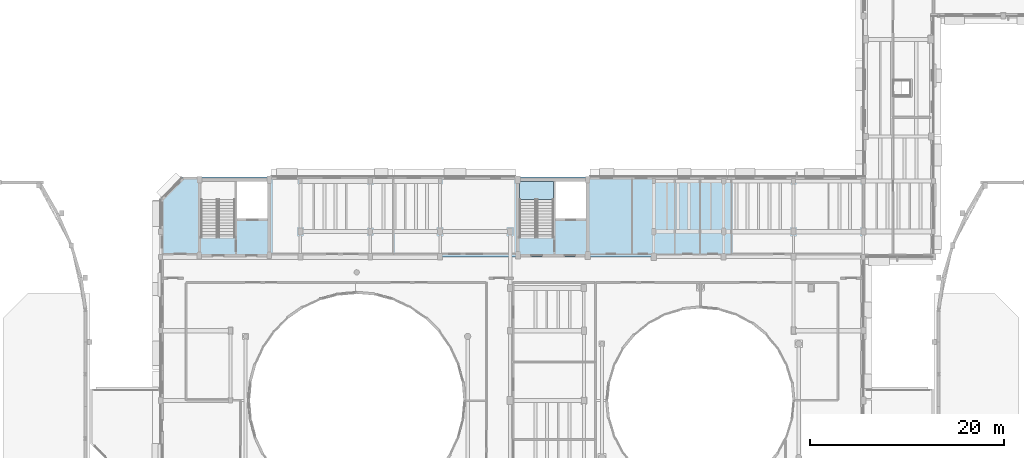
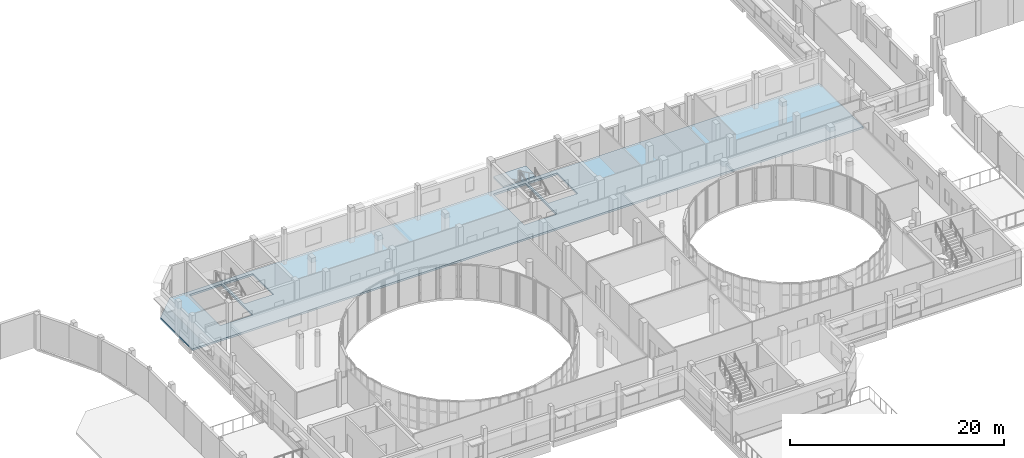
# One storey, part 62 of 89: 2 slabs, 1 element without a shape of its own.
"""IFC4 building model written with IfcOpenShell, lengths in metres."""

from ifc_helpers import new_model, si_unit, direction, frame, origin, place, context, subcontext, project, spatial, polyline, outline, extrude, material, layer, layer_set, type_object, element, aggregate, save


model = new_model("IFC4")

# Units and contexts
model_context = context("Model", 3, precision=1e-05, world=origin(), true_north=direction((0.0, 1.0)))
body_context = subcontext(model_context, "Body", "Model", "MODEL_VIEW")
ifc_project = project(units=[si_unit("LENGTHUNIT", "METRE"), si_unit("AREAUNIT", "SQUARE_METRE"), si_unit("VOLUMEUNIT", "CUBIC_METRE"), si_unit("PLANEANGLEUNIT", "RADIAN"), si_unit("MASSUNIT", "GRAM", prefix="KILO")], contexts=[model_context])

# Site, building, storey
site_placement = place(None, origin())
site = spatial("IfcSite", under=ifc_project, at=site_placement, CompositionType="ELEMENT")
building_placement = place(site_placement, origin())
building = spatial("IfcBuilding", under=site, at=building_placement, Name="Kelanivale Promenade Academy", CompositionType="ELEMENT")
storey_placement = place(building_placement, frame((0.0, 0.0, 12.199951171875)))
storey = spatial("IfcBuildingStorey", under=building, at=storey_placement, Name="L03", CompositionType="ELEMENT", Elevation=12.199951171875)

# Slab
ifc_material = material(Name="Concrete C35/45", Category="concrete")
ifc_layer_1 = layer(ifc_material, 0.219970703125)
ifc_layer_set_1 = layer_set([ifc_layer_1], Name="Concrete C35/45")
slab_type_1 = type_object("IfcSlabType", Name="FS-01 Slab 220mm", PredefinedType="FLOOR", material=ifc_layer_set_1)
slab_1_placement = place(storey_placement, frame((0.0, 0.0, -0.219970703125)))
element("IfcSlab", 1, at=slab_1_placement, inside=storey, type_object=slab_type_1, Name="L03 structural slab SLB-L03-V4N", PredefinedType="FLOOR", context=body_context, shape_type="SweptSolid", body=[
    extrude(outline(polyline([(43.199951171875, 77.5400390625), (43.199951171875, 71.60009765625), (115.60009765625, 71.60009765625), (115.60009765625, 79.85009765625), (45.510009765625, 79.85009765625), (43.199951171875, 77.5400390625)]), holes=[polyline([(83.885009765625, 79.385009765625), (87.034912109375, 79.385009765625), (87.034912109375, 75.52490234375), (83.885009765625, 75.52490234375), (83.885009765625, 79.385009765625)]), polyline([(83.6650390625, 79.385009765625), (83.6650390625, 73.60498046875), (80.1650390625, 73.60498046875), (80.1650390625, 79.385009765625), (83.6650390625, 79.385009765625)]), polyline([(51.0849609375, 79.385009765625), (54.235107421875, 79.385009765625), (54.235107421875, 75.52490234375), (51.0849609375, 75.52490234375), (51.0849609375, 79.385009765625)]), polyline([(50.864990234375, 79.385009765625), (50.864990234375, 73.60498046875), (47.364990234375, 73.60498046875), (47.364990234375, 79.385009765625), (50.864990234375, 79.385009765625)])]), origin(), (0.0, 0.0, 1.0), 0.219970703125),
])

# Stair, slab
stair_type = type_object("IfcStairType", Name="ST-T02 Protected dog-leg upper-storey stair", PredefinedType="HALF_TURN_STAIR", material=ifc_material)
stair_placement = place(storey_placement, origin())
stair = element("IfcStair", 2, at=stair_placement, inside=storey, type_object=stair_type, Name="L03 ST-02", PredefinedType="HALF_TURN_STAIR")
ifc_layer_2 = layer(ifc_material, 0.199951171875)
ifc_layer_set_2 = layer_set([ifc_layer_2], Name="Concrete C35/45")
slab_type_2 = type_object("IfcSlabType", Name="LS-01 Slab 200mm", PredefinedType="LANDING", material=ifc_layer_set_2)
slab_2_placement = place(storey_placement, frame((0.0, 0.0, 1.800048828125)))
slab_2 = element("IfcSlab", 3, at=slab_2_placement, type_object=slab_type_2, Name="ST-02 landing 1", PredefinedType="LANDING", context=body_context, shape_type="SweptSolid", body=[
    extrude(outline(polyline([(83.6650390625, 77.5048828125), (83.6650390625, 79.385009765625), (80.1650390625, 79.385009765625), (80.1650390625, 77.5048828125), (83.6650390625, 77.5048828125)])), origin(), (0.0, 0.0, 1.0), 0.199951171875),
])
aggregate(stair, [slab_2])

save(model, "model.ifc")
